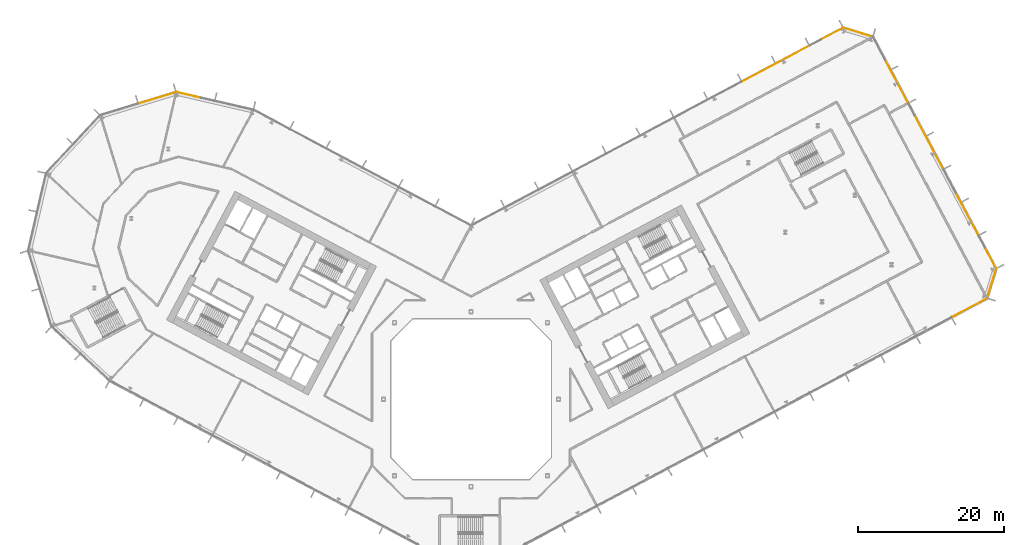
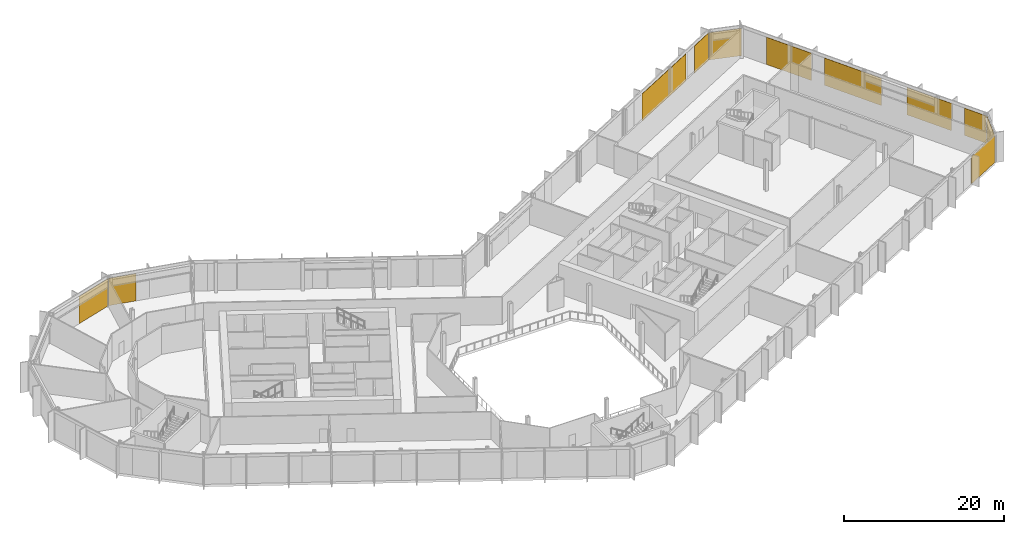
# One storey, part 30 of 30: 11 coverings, 7 elements without a shape of their own.
"""IFC4 building model written with IfcOpenShell, lengths in metres."""

from ifc_helpers import new_model, si_unit, direction, frame, origin, origin_2d, place, context, subcontext, project, spatial, rectangle, extrude, material, layer, layer_set, type_object, element, aggregate, save


model = new_model("IFC4")

# Units and contexts
model_context = context("Model", 3, precision=1e-05, world=origin(), true_north=direction((0.0, 1.0)))
body_context = subcontext(model_context, "Body", "Model", "MODEL_VIEW")
ifc_project = project(units=[si_unit("LENGTHUNIT", "METRE"), si_unit("AREAUNIT", "SQUARE_METRE"), si_unit("VOLUMEUNIT", "CUBIC_METRE"), si_unit("PLANEANGLEUNIT", "RADIAN"), si_unit("MASSUNIT", "GRAM", prefix="KILO")], contexts=[model_context])

# Site, building, storey
site_placement = place(None, origin())
site = spatial("IfcSite", under=ifc_project, at=site_placement, CompositionType="ELEMENT")
building_placement = place(site_placement, origin())
building = spatial("IfcBuilding", under=site, at=building_placement, Name="Cormorant Relay Tower", CompositionType="ELEMENT")
storey_placement = place(building_placement, frame((0.0, 0.0, 80.0)))
storey = spatial("IfcBuildingStorey", under=building, at=storey_placement, Name="L15", CompositionType="ELEMENT", Elevation=80.0)

# Curtain wall, covering
ifc_material_1 = material(Name="Aluminium 6063-T6 anodised bronze", Category="aluminium")
ifc_layer_1 = layer(ifc_material_1, 0.199951171875)
ifc_layer_set_1 = layer_set([ifc_layer_1], Name="CW1 unitised bronze curtain wall with vertical fins")
curtain_wall_type = type_object("IfcCurtainWallType", Name="CW1 unitised bronze curtain wall with vertical fins", PredefinedType="NOTDEFINED", material=ifc_layer_set_1)
curtain_wall_1_placement = place(storey_placement, origin())
curtain_wall_1 = element("IfcCurtainWall", 1, at=curtain_wall_1_placement, inside=storey, type_object=curtain_wall_type, Name="CW1 curtain wall 2", PredefinedType="NOTDEFINED")
ifc_material_2 = material(Name="Pale bronze anodised aluminium insulated panel", Category="aluminium")
ifc_layer_2 = layer(ifc_material_2, 0.0400390625)
ifc_layer_set_2 = layer_set([ifc_layer_2], Name="CW1 pale bronze insulated panel 40")
covering_type = type_object("IfcCoveringType", Name="CW1 pale bronze insulated panel 40", PredefinedType="CLADDING", material=ifc_layer_set_2)
covering_1_placement = place(storey_placement, frame((68.391357421875, 12.557861328125, 0.0), z_axis=(0.0, 0.0, 1.0), x_axis=(0.882947592859, 0.469471562786, 0.0)))
covering_1 = element("IfcCovering", 2, at=covering_1_placement, type_object=covering_type, Name="CW1 panel S13", PredefinedType="CLADDING", context=body_context, shape_type="SweptSolid", body=[
    extrude(rectangle(XDim=5.436767578125, YDim=0.0400390625, at=origin_2d()), origin(), (0.0, 0.0, 1.0), 4.14990234375),
])
aggregate(curtain_wall_1, [covering_1])

curtain_wall_2_placement = place(storey_placement, origin())
curtain_wall_2 = element("IfcCurtainWall", 3, at=curtain_wall_2_placement, inside=storey, type_object=curtain_wall_type, Name="CW1 curtain wall 3", PredefinedType="NOTDEFINED")
covering_2_placement = place(storey_placement, frame((71.4326171875, 15.910400390625, 0.0), z_axis=(0.0, 0.0, 1.0), x_axis=(0.292371704723, 0.956304755963, 0.0)))
covering_2 = element("IfcCovering", 4, at=covering_2_placement, type_object=covering_type, Name="CW1 panel S00", PredefinedType="CLADDING", context=body_context, shape_type="SweptSolid", body=[
    extrude(rectangle(XDim=4.16748046875, YDim=0.0400390625, at=origin_2d()), origin(), (0.0, 0.0, 1.0), 4.14990234375),
])
aggregate(curtain_wall_2, [covering_2])

# Curtain wall, coverings
curtain_wall_3_placement = place(storey_placement, origin())
curtain_wall_3 = element("IfcCurtainWall", 5, at=curtain_wall_3_placement, inside=storey, type_object=curtain_wall_type, Name="CW1 curtain wall 4", PredefinedType="NOTDEFINED")
covering_3_placement = place(storey_placement, frame((71.255615234375, 19.39404296875, 0.0), z_axis=(0.0, 0.0, 1.0), x_axis=(-0.469471562786, 0.882947592859, 0.0)))
covering_3 = element("IfcCovering", 6, at=covering_3_placement, type_object=covering_type, Name="CW1 panel S00", PredefinedType="CLADDING", context=body_context, shape_type="SweptSolid", body=[
    extrude(rectangle(XDim=3.19287109375, YDim=0.0400390625, at=origin_2d()), origin(), (0.0, 0.0, 1.0), 4.14990234375),
])
covering_4_placement = place(storey_placement, frame((68.056640625, 25.41064453125, 0.0), z_axis=(0.0, 0.0, 1.0), x_axis=(-0.469471562786, 0.882947592859, 0.0)))
covering_4 = element("IfcCovering", 7, at=covering_4_placement, type_object=covering_type, Name="CW1 panel S02", PredefinedType="CLADDING", context=body_context, shape_type="SweptSolid", body=[
    extrude(rectangle(XDim=6.53564453125, YDim=0.0400390625, at=origin_2d()), origin(), (0.0, 0.0, 1.0), 4.14990234375),
])
covering_5_placement = place(storey_placement, frame((62.80517578125, 35.287109375, 0.0), z_axis=(0.0, 0.0, 1.0), x_axis=(-0.469471562786, 0.882947592859, 0.0)))
covering_5 = element("IfcCovering", 8, at=covering_5_placement, type_object=covering_type, Name="CW1 panel S04", PredefinedType="CLADDING", context=body_context, shape_type="SweptSolid", body=[
    extrude(rectangle(XDim=8.335693359375, YDim=0.0400390625, at=origin_2d()), origin(), (0.0, 0.0, 1.0), 4.14990234375),
])
covering_6_placement = place(storey_placement, frame((58.38134765625, 43.607421875, 0.0), z_axis=(0.0, 0.0, 1.0), x_axis=(-0.469471562786, 0.882947592859, 0.0)))
covering_6 = element("IfcCovering", 9, at=covering_6_placement, type_object=covering_type, Name="CW1 panel S06", PredefinedType="CLADDING", context=body_context, shape_type="SweptSolid", body=[
    extrude(rectangle(XDim=6.610595703125, YDim=0.0400390625, at=origin_2d()), origin(), (0.0, 0.0, 1.0), 4.14990234375),
])
aggregate(curtain_wall_3, [covering_3, covering_4, covering_5, covering_6])

# Curtain wall, covering
curtain_wall_4_placement = place(storey_placement, origin())
curtain_wall_4 = element("IfcCurtainWall", 10, at=curtain_wall_4_placement, inside=storey, type_object=curtain_wall_type, Name="CW1 curtain wall 5", PredefinedType="NOTDEFINED")
covering_7_placement = place(storey_placement, frame((53.06298828125, 50.34521484375, 0.0), z_axis=(0.0, 0.0, 1.0), x_axis=(-0.956304755963, 0.292371704723, 0.0)))
covering_7 = element("IfcCovering", 11, at=covering_7_placement, type_object=covering_type, Name="CW1 panel S00", PredefinedType="CLADDING", context=body_context, shape_type="SweptSolid", body=[
    extrude(rectangle(XDim=4.16748046875, YDim=0.0400390625, at=origin_2d()), origin(), (0.0, 0.0, 1.0), 4.14990234375),
])
aggregate(curtain_wall_4, [covering_7])

# Curtain wall, coverings
curtain_wall_5_placement = place(storey_placement, origin())
curtain_wall_5 = element("IfcCurtainWall", 12, at=curtain_wall_5_placement, inside=storey, type_object=curtain_wall_type, Name="CW1 curtain wall 6", PredefinedType="NOTDEFINED")
covering_8_placement = place(storey_placement, frame((49.528564453125, 50.1416015625, 0.0), z_axis=(0.0, 0.0, 1.0), x_axis=(-0.882947592859, -0.469471562786, 0.0)))
covering_8 = element("IfcCovering", 13, at=covering_8_placement, type_object=covering_type, Name="CW1 panel S00", PredefinedType="CLADDING", context=body_context, shape_type="SweptSolid", body=[
    extrude(rectangle(XDim=3.3076171875, YDim=0.0400390625, at=origin_2d()), origin(), (0.0, 0.0, 1.0), 4.14990234375),
])
covering_9_placement = place(storey_placement, frame((41.7705078125, 46.0166015625, 0.0), z_axis=(0.0, 0.0, 1.0), x_axis=(-0.882947592859, -0.469471562786, 0.0)))
covering_9 = element("IfcCovering", 14, at=covering_9_placement, type_object=covering_type, Name="CW1 panel S02", PredefinedType="CLADDING", context=body_context, shape_type="SweptSolid", body=[
    extrude(rectangle(XDim=10.365234375, YDim=0.0400390625, at=origin_2d()), origin(), (0.0, 0.0, 1.0), 4.14990234375),
])
aggregate(curtain_wall_5, [covering_8, covering_9])

# Curtain wall, covering
curtain_wall_6_placement = place(storey_placement, origin())
curtain_wall_6 = element("IfcCurtainWall", 15, at=curtain_wall_6_placement, inside=storey, type_object=curtain_wall_type, Name="CW1 curtain wall 8", PredefinedType="NOTDEFINED")
covering_10_placement = place(storey_placement, frame((-38.7265625, 41.732421875, 0.0), z_axis=(0.0, 0.0, 1.0), x_axis=(-0.974370064785, 0.224951054344, 0.0)))
covering_10 = element("IfcCovering", 16, at=covering_10_placement, type_object=covering_type, Name="CW1 panel S02", PredefinedType="CLADDING", context=body_context, shape_type="SweptSolid", body=[
    extrude(rectangle(XDim=3.560302734375, YDim=0.0400390625, at=origin_2d()), origin(), (0.0, 0.0, 1.0), 4.14990234375),
])
aggregate(curtain_wall_6, [covering_10])

curtain_wall_7_placement = place(storey_placement, origin())
curtain_wall_7 = element("IfcCurtainWall", 17, at=curtain_wall_7_placement, inside=storey, type_object=curtain_wall_type, Name="CW1 curtain wall 9", PredefinedType="NOTDEFINED")
covering_11_placement = place(storey_placement, frame((-43.0703125, 41.337890625, 0.0), z_axis=(0.0, 0.0, 1.0), x_axis=(-0.956304755963, -0.292371704723, 0.0)))
covering_11 = element("IfcCovering", 18, at=covering_11_placement, type_object=covering_type, Name="CW1 panel S00", PredefinedType="CLADDING", context=body_context, shape_type="SweptSolid", body=[
    extrude(rectangle(XDim=5.28515625, YDim=0.0400390625, at=origin_2d()), origin(), (0.0, 0.0, 1.0), 4.14990234375),
])
aggregate(curtain_wall_7, [covering_11])

save(model, "model.ifc")
